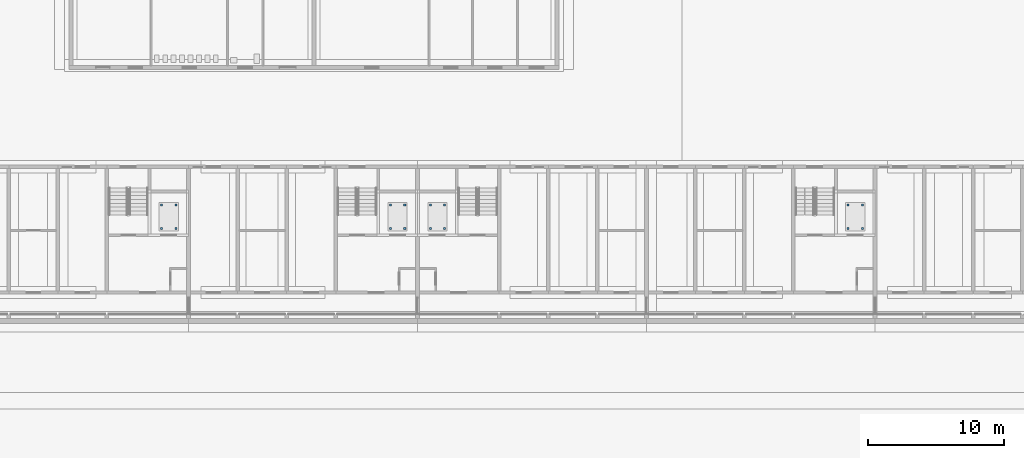
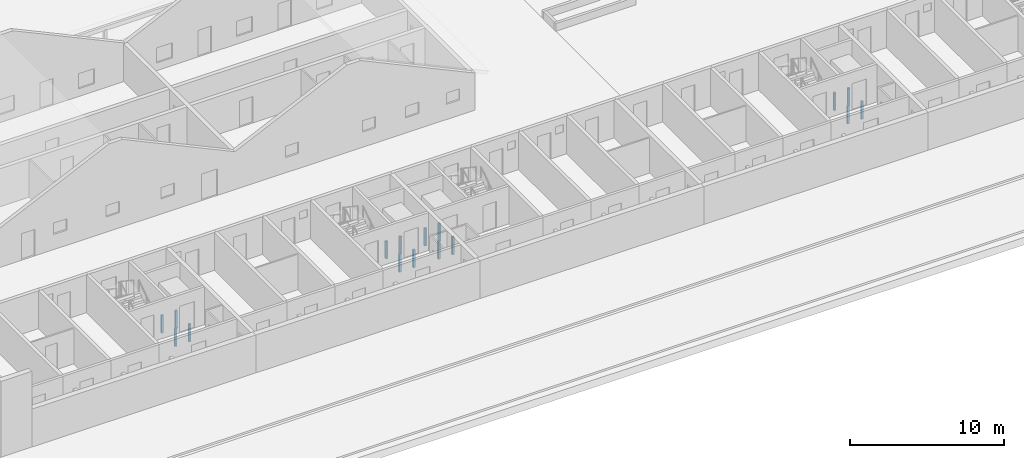
# One storey, part 75 of 112: 16 discrete accessories.
"""IFC4 building model written with IfcOpenShell, lengths in metres."""

from ifc_helpers import new_model, si_unit, direction, frame, origin, origin_2d, place, context, subcontext, project, spatial, rectangle, extrude, material, type_object, element, save


model = new_model("IFC4")

# Units and contexts
model_context = context("Model", 3, precision=1e-05, world=origin(), true_north=direction((0.0, 1.0)))
body_context = subcontext(model_context, "Body", "Model", "MODEL_VIEW")
ifc_project = project(units=[si_unit("LENGTHUNIT", "METRE"), si_unit("AREAUNIT", "SQUARE_METRE"), si_unit("VOLUMEUNIT", "CUBIC_METRE"), si_unit("PLANEANGLEUNIT", "RADIAN"), si_unit("MASSUNIT", "GRAM", prefix="KILO")], contexts=[model_context])

# Site, building, storey
site_placement = place(None, origin())
site = spatial("IfcSite", under=ifc_project, at=site_placement, CompositionType="ELEMENT")
building_placement = place(site_placement, origin())
building = spatial("IfcBuilding", under=site, at=building_placement, Name="Ridgestep Commons", CompositionType="ELEMENT")
storey_placement = place(building_placement, origin())
storey = spatial("IfcBuildingStorey", under=building, at=storey_placement, Name="L00", CompositionType="ELEMENT", Elevation=0.0)

# Discrete accessories
ifc_material = material(Name="Structural steel S355JR", Category="steel")
discrete_accessory_type = type_object("IfcDiscreteAccessoryType", Name="Lift buffer stand 150 x 150", PredefinedType="BRACKET", material=ifc_material)
for number, where, z_axis, x_axis, name in (
    (1, (26.8125, 18.324951171875, -1.39990234375), (0.0, 0.0, 1.0), (1.0, 0.0, 0.0), "Lift buffer stand A1C 1"),
    (2, (27.862548828125, 18.324951171875, -1.39990234375), (0.0, 0.0, 1.0), (1.0, 0.0, 0.0), "Lift buffer stand A1C 2"),
    (3, (26.8125, 20.074951171875, -1.39990234375), (0.0, 0.0, 1.0), (1.0, 0.0, 0.0), "Lift buffer stand A1C 3"),
    (4, (27.862548828125, 20.074951171875, -1.39990234375), (0.0, 0.0, 1.0), (1.0, 0.0, 0.0), "Lift buffer stand A1C 4"),
    (5, (43.612548828125, 18.324951171875, -1.39990234375), (0.0, 0.0, 1.0), (1.0, 0.0, 0.0), "Lift buffer stand A2C 1"),
    (6, (44.66259765625, 18.324951171875, -1.39990234375), (0.0, 0.0, 1.0), (1.0, 0.0, 0.0), "Lift buffer stand A2C 2"),
    (7, (43.612548828125, 20.074951171875, -1.39990234375), (0.0, 0.0, 1.0), (1.0, 0.0, 0.0), "Lift buffer stand A2C 3"),
    (8, (44.66259765625, 20.074951171875, -1.39990234375), (0.0, 0.0, 1.0), (1.0, 0.0, 0.0), "Lift buffer stand A2C 4"),
    (9, (46.53759765625, 18.324951171875, -1.39990234375), (0.0, 0.0, 1.0), (1.0, 0.0, 0.0), "Lift buffer stand A3C 1"),
    (10, (47.58740234375, 18.324951171875, -1.39990234375), (0.0, 0.0, 1.0), (1.0, 0.0, 0.0), "Lift buffer stand A3C 2"),
    (11, (46.53759765625, 20.074951171875, -1.39990234375), (0.0, 0.0, 1.0), (1.0, 0.0, 0.0), "Lift buffer stand A3C 3"),
    (12, (47.58740234375, 20.074951171875, -1.39990234375), (0.0, 0.0, 1.0), (1.0, 0.0, 0.0), "Lift buffer stand A3C 4"),
    (13, (77.21240234375, 18.324951171875, -1.39990234375), (0.0, 0.0, 1.0), (1.0, 0.0, 0.0), "Lift buffer stand A4C 1"),
    (14, (78.262451171875, 18.324951171875, -1.39990234375), (0.0, 0.0, 1.0), (1.0, 0.0, 0.0), "Lift buffer stand A4C 2"),
    (15, (77.21240234375, 20.074951171875, -1.39990234375), (0.0, 0.0, 1.0), (1.0, 0.0, 0.0), "Lift buffer stand A4C 3"),
    (16, (78.262451171875, 20.074951171875, -1.39990234375), (0.0, 0.0, 1.0), (1.0, 0.0, 0.0), "Lift buffer stand A4C 4"),
):
    element("IfcDiscreteAccessory", number, at=place(storey_placement, frame(where, z_axis=z_axis, x_axis=x_axis)), inside=storey, type_object=discrete_accessory_type, Name=name, PredefinedType="BRACKET", context=body_context, shape_type="SweptSolid", body=[
        extrude(rectangle(XDim=0.14990234375, YDim=0.14990234375, at=origin_2d()), origin(), (0.0, 0.0, 1.0), 1.39990234375),
    ])

save(model, "model.ifc")
